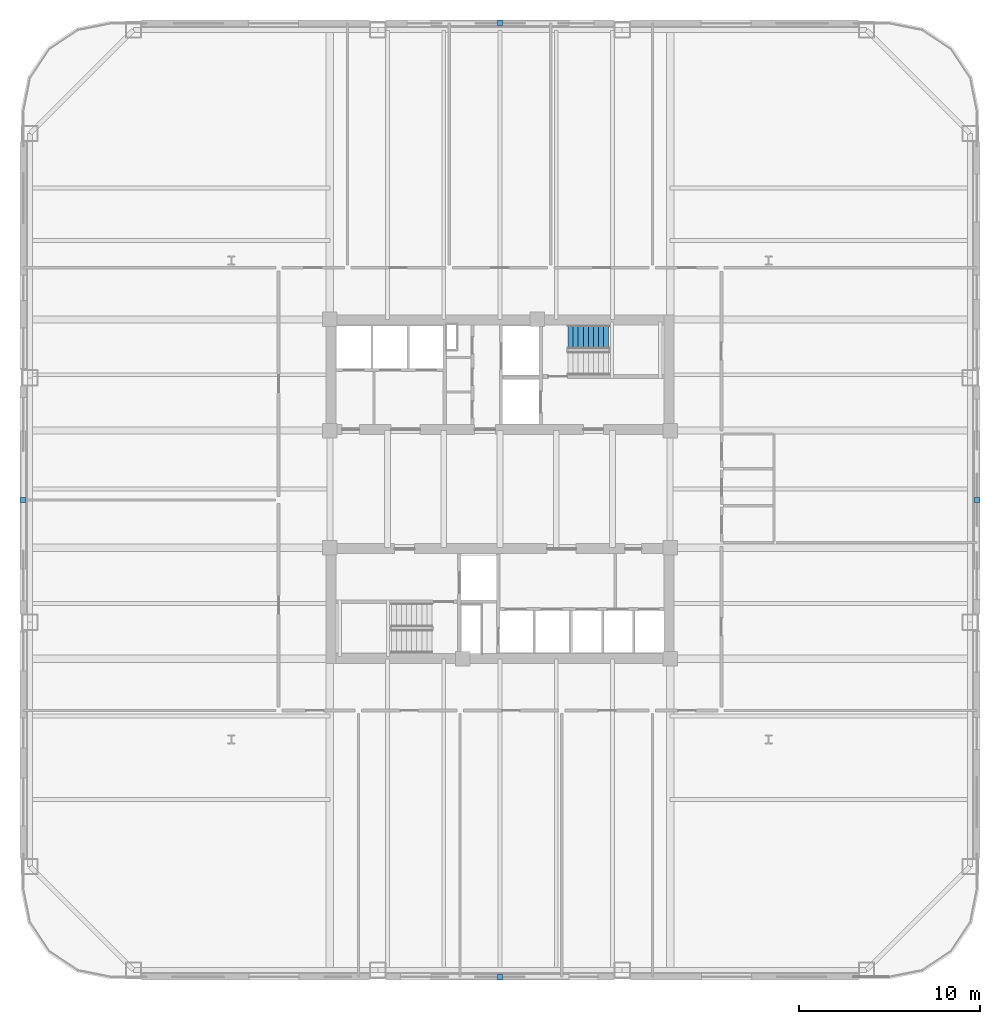
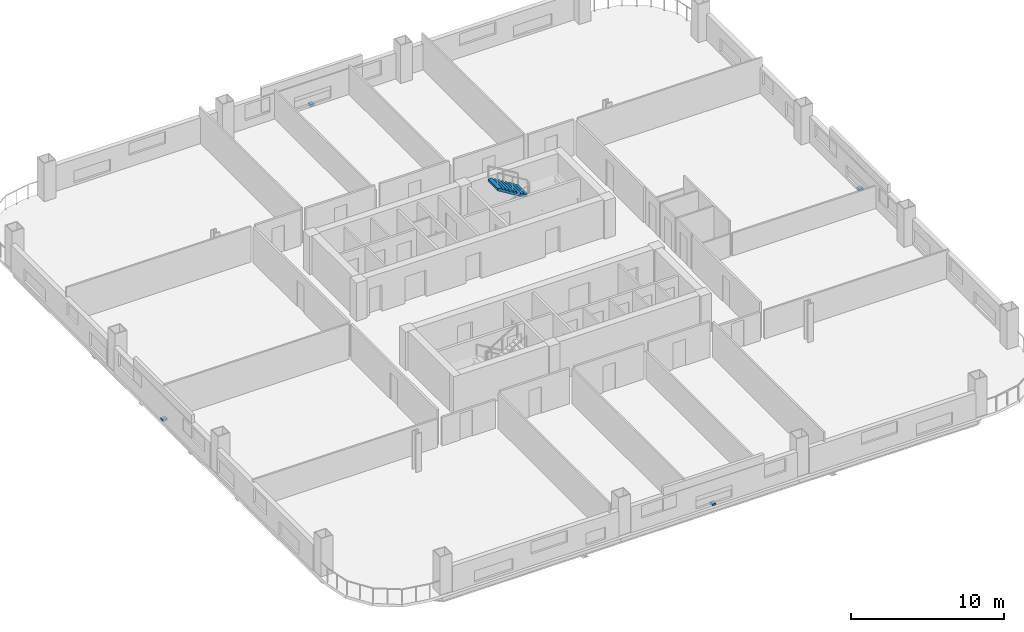
# One storey, part 6 of 12: 4 discrete accessories, 1 stair flight, 1 element without a shape of its own.
"""IFC4 building model written with IfcOpenShell, lengths in metres."""

from ifc_helpers import new_model, si_unit, direction, frame, origin, origin_2d, place, context, subcontext, project, spatial, polyline, rectangle, outline, extrude, material, type_object, element, aggregate, save


model = new_model("IFC4")

# Units and contexts
model_context = context("Model", 3, precision=1e-05, world=origin(), true_north=direction((0.0, 1.0)))
body_context = subcontext(model_context, "Body", "Model", "MODEL_VIEW")
ifc_project = project(units=[si_unit("LENGTHUNIT", "METRE"), si_unit("AREAUNIT", "SQUARE_METRE"), si_unit("VOLUMEUNIT", "CUBIC_METRE"), si_unit("PLANEANGLEUNIT", "RADIAN"), si_unit("MASSUNIT", "GRAM", prefix="KILO")], contexts=[model_context])

# Site, building, storey
site_placement = place(None, origin())
site = spatial("IfcSite", under=ifc_project, at=site_placement, CompositionType="ELEMENT")
building_placement = place(site_placement, origin())
building = spatial("IfcBuilding", under=site, at=building_placement, Name="Qhalaya Broadcast Tower", CompositionType="ELEMENT")
storey_placement = place(building_placement, frame((0.0, 0.0, 41.35009765625)))
storey = spatial("IfcBuildingStorey", under=building, at=storey_placement, Name="L11", CompositionType="ELEMENT", Elevation=41.35009765625)

# Stair, stair flight
ifc_material_1 = material(Name="Concrete C40/50", Category="concrete")
stair_type = type_object("IfcStairType", Name="Protected Dogleg Core Stair 3150", PredefinedType="TWO_STRAIGHT_RUN_STAIR", material=ifc_material_1)
stair_placement = place(storey_placement, origin())
stair = element("IfcStair", 1, at=stair_placement, inside=storey, type_object=stair_type, Name="L11 North Core Exit Stair ST-1", PredefinedType="TWO_STRAIGHT_RUN_STAIR")
ifc_material_2 = material(Name="Precast Concrete C40/50", Category="concrete")
stair_flight_type = type_object("IfcStairFlightType", Name="Precast Concrete Stair Flight 3150", PredefinedType="STRAIGHT", material=ifc_material_2)
stair_flight_placement = place(storey_placement, frame((5.989990234375, 8.97998046875, 1.52490234375), z_axis=(0.0, 0.0, 1.0), x_axis=(-1.0, 0.0, 0.0)))
stair_flight = element("IfcStairFlight", 2, at=stair_flight_placement, type_object=stair_flight_type, Name="ST-1 flight 2", NumberOfRisers=9, NumberOfTreads=8, PredefinedType="STRAIGHT", RiserHeight=0.169444444, TreadLength=0.28, context=body_context, shape_type="SweptSolid", body=[
    extrude(outline(polyline([(0.0, 0.0), (0.0, 0.16943359375), (0.280029296875, 0.16943359375), (0.280029296875, 0.3388671875), (0.56005859375, 0.3388671875), (0.56005859375, 0.50830078125), (0.840087890625, 0.50830078125), (0.840087890625, 0.677734375), (1.1201171875, 0.677734375), (1.1201171875, 0.84716796875), (1.39990234375, 0.84716796875), (1.39990234375, 1.0166015625), (1.679931640625, 1.0166015625), (1.679931640625, 1.18603515625), (1.9599609375, 1.18603515625), (1.9599609375, 1.35546875), (2.239990234375, 1.35546875), (2.239990234375, 1.52490234375), (2.239990234375, 1.180419921875), (0.28955078125, 0.0), (0.0, 0.0)])), frame((0.0, 0.66015625, 0.0), z_axis=(0.0, -1.0, 0.0), x_axis=(1.0, 0.0, 0.0)), (0.0, 0.0, 1.0), 1.320068359375),
])
aggregate(stair, [stair_flight])

# Discrete accessories
ifc_material_3 = material(Name="Structural Steel ASTM A572 Grade 50", Category="steel")
discrete_accessory_type = type_object("IfcDiscreteAccessoryType", Name="Facade Baguette Support Bracket BRK-01", PredefinedType="BRACKET", material=ifc_material_3)
for number, where, z_axis, x_axis, name in (
    (3, (0.0, -26.280029296875, 0.0), (0.0, 0.0, 1.0), (1.0, 0.0, 0.0), "L11 Baguette Support Bracket S"),
    (4, (26.280029296875, 0.0, 0.0), (0.0, 0.0, 1.0), (0.0, 1.0, 0.0), "L11 Baguette Support Bracket E"),
    (5, (0.0, 26.280029296875, 0.0), (0.0, 0.0, 1.0), (-1.0, 0.0, 0.0), "L11 Baguette Support Bracket N"),
    (6, (-26.280029296875, 0.0, 0.0), (0.0, 0.0, 1.0), (0.0, -1.0, 0.0), "L11 Baguette Support Bracket W"),
):
    element("IfcDiscreteAccessory", number, at=place(storey_placement, frame(where, z_axis=z_axis, x_axis=x_axis)), inside=storey, type_object=discrete_accessory_type, Name=name, PredefinedType="BRACKET", context=body_context, shape_type="SweptSolid", body=[
        extrude(rectangle(XDim=0.300048828125, YDim=0.340087890625, at=origin_2d()), origin(), (0.0, 0.0, 1.0), 0.159912109375),
    ])

save(model, "model.ifc")
